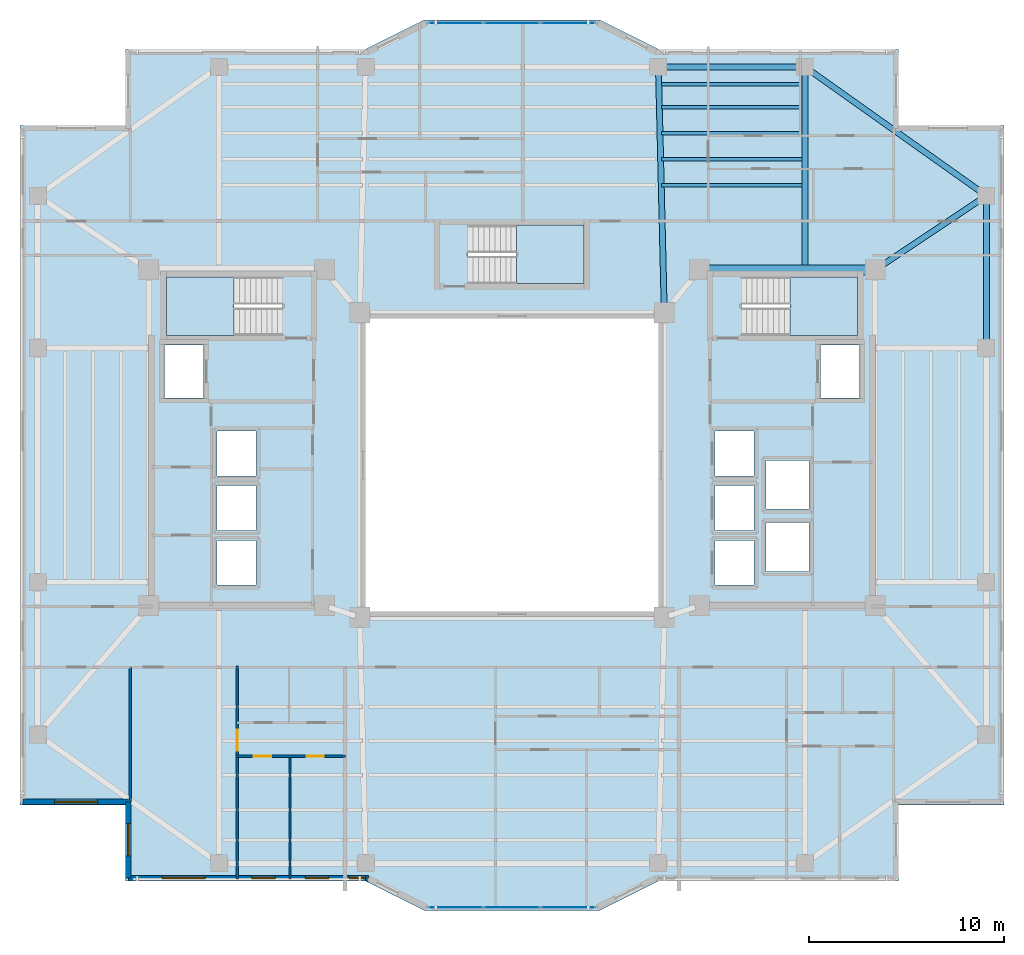
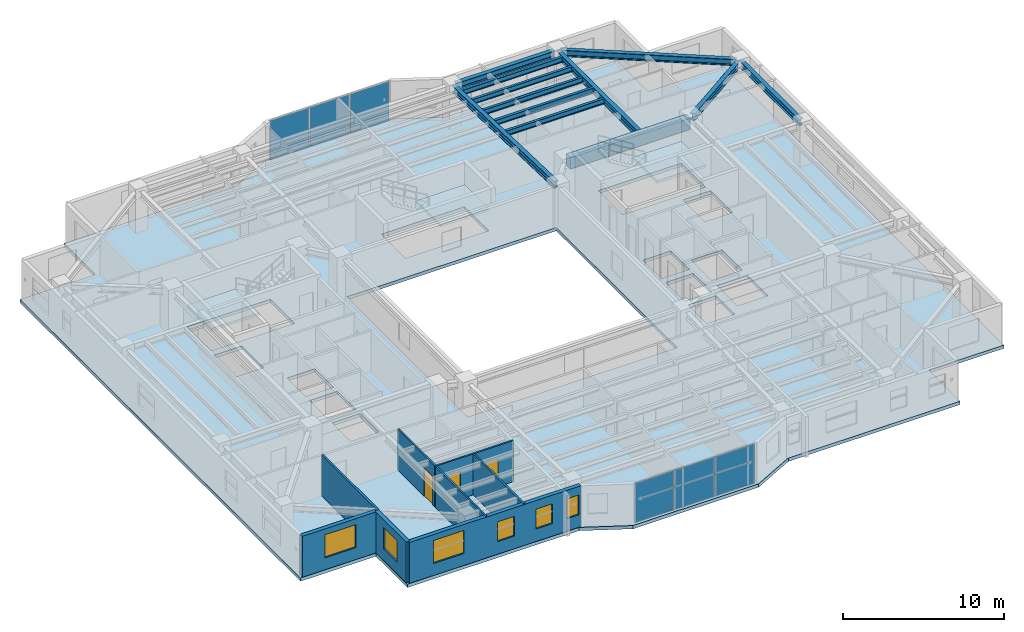
# One storey, part 5 of 15: 12 beams, 7 walls, 6 plates, 6 windows, 4 slabs, 3 doors, 9 openings, 5 elements without a shape of their own.
"""IFC4 building model written with IfcOpenShell, lengths in metres."""

from ifc_helpers import new_model, si_unit, direction, frame, frame_2d, origin, origin_2d, place, context, subcontext, project, spatial, polyline, rectangle, i_section, outline, extrude, material, layer, layer_set, material_profile, profile_set, type_object, element, fill, aggregate, save


model = new_model("IFC4")

# Units and contexts
model_context = context("Model", 3, precision=1e-05, world=origin(), true_north=direction((0.0, 1.0)))
body_context = subcontext(model_context, "Body", "Model", "MODEL_VIEW")
ifc_project = project(units=[si_unit("LENGTHUNIT", "METRE"), si_unit("AREAUNIT", "SQUARE_METRE"), si_unit("VOLUMEUNIT", "CUBIC_METRE"), si_unit("PLANEANGLEUNIT", "RADIAN"), si_unit("MASSUNIT", "GRAM", prefix="KILO")], contexts=[model_context])

# Site, building, storey
site_placement = place(None, origin())
site = spatial("IfcSite", under=ifc_project, at=site_placement, CompositionType="ELEMENT")
building_placement = place(site_placement, origin())
building = spatial("IfcBuilding", under=site, at=building_placement, Name="Tarnavaz Court Tower", CompositionType="ELEMENT")
storey_placement = place(building_placement, frame((0.0, 0.0, 162.75)))
storey = spatial("IfcBuildingStorey", under=building, at=storey_placement, Name="L44", CompositionType="ELEMENT", Elevation=162.75)

# Beams
ifc_material_1 = material(Name="Concrete C50/60", Category="concrete")
ifc_material_profile_1 = material_profile(ifc_material_1, rectangle(XDim=0.5, YDim=0.85009765625, at=origin_2d()), Name="RC 500X850")
ifc_profile_set_1 = profile_set([ifc_material_profile_1], Name="Concrete C50/60")
beam_type_1 = type_object("IfcBeamType", Name="BM-CB850", PredefinedType="LINTEL", material=ifc_profile_set_1)
beam_1_placement = place(storey_placement, frame((18.3798828125, 10.0, 2.675048828125), z_axis=(-1.0, 0.0, 0.0), x_axis=(0.0, -1.0, 0.0)))
element("IfcBeam", 1, at=beam_1_placement, inside=storey, type_object=beam_type_1, Name="L44 Beam IN-CE-NO-CE-NI", PredefinedType="LINTEL", context=body_context, shape_type="SweptSolid", body=[
    extrude(rectangle(XDim=0.5, YDim=0.85009765625, at=origin_2d()), origin(), (0.0, 0.0, 1.0), 8.559814453125),
])
ifc_material_2 = material(Name="Steel S355", Category="steel")
ifc_material_profile_2 = material_profile(ifc_material_2, i_section(OverallWidth=0.300048828125, OverallDepth=0.5, WebThickness=0.014404296875, FlangeThickness=0.028076171875, FilletRadius=0.027099609375, at=origin_2d()), Name="HEB 500")
ifc_profile_set_2 = profile_set([ifc_material_profile_2], Name="Steel S355")
beam_type_2 = type_object("IfcBeamType", Name="BM-G-HEB500", PredefinedType="USERDEFINED", material=ifc_profile_set_2)
beam_2_placement = place(storey_placement, frame((7.794921875, 8.02001953125, 2.85009765625), z_axis=(-0.023824748444, 0.999716150395, 0.0), x_axis=(-0.999716150395, -0.023824748444, 0.0)))
element("IfcBeam", 2, at=beam_2_placement, inside=storey, type_object=beam_type_2, Name="L44 Beam RG-03", ObjectType="GIRDER", PredefinedType="USERDEFINED", context=body_context, shape_type="SweptSolid", body=[
    extrude(i_section(OverallWidth=0.300048828125, OverallDepth=0.5, WebThickness=0.014404296875, FlangeThickness=0.028076171875, FilletRadius=0.027099609375, at=origin_2d()), origin(), (0.0, 0.0, 1.0), 12.16357421875),
])
beam_3_placement = place(storey_placement, frame((15.0, 10.0400390625, 2.85009765625), z_axis=(0.0, 1.0, 0.0), x_axis=(-1.0, 0.0, 0.0)))
element("IfcBeam", 3, at=beam_3_placement, inside=storey, type_object=beam_type_2, Name="L44 Beam RG-04", ObjectType="GIRDER", PredefinedType="USERDEFINED", context=body_context, shape_type="SweptSolid", body=[
    extrude(i_section(OverallWidth=0.300048828125, OverallDepth=0.5, WebThickness=0.014404296875, FlangeThickness=0.028076171875, FilletRadius=0.027099609375, at=origin_2d()), origin(), (0.0, 0.0, 1.0), 10.139892578125),
])
beam_4_placement = place(storey_placement, frame((18.783203125, 10.1220703125, 2.85009765625), z_axis=(0.832044435051, 0.554708985056, 0.0), x_axis=(-0.554708985056, 0.832044435051, 0.0)))
element("IfcBeam", 4, at=beam_4_placement, inside=storey, type_object=beam_type_2, Name="L44 Beam RG-12", ObjectType="GIRDER", PredefinedType="USERDEFINED", context=body_context, shape_type="SweptSolid", body=[
    extrude(i_section(OverallWidth=0.300048828125, OverallDepth=0.5, WebThickness=0.014404296875, FlangeThickness=0.028076171875, FilletRadius=0.027099609375, at=origin_2d()), origin(), (0.0, 0.0, 1.0), 6.410400390625),
])
ifc_material_profile_3 = material_profile(ifc_material_2, i_section(OverallWidth=0.179931640625, OverallDepth=0.39990234375, WebThickness=0.008544921875, FlangeThickness=0.013427734375, FilletRadius=0.02099609375, at=origin_2d()), Name="IPE 400")
ifc_profile_set_3 = profile_set([ifc_material_profile_3], Name="Steel S355")
beam_type_3 = type_object("IfcBeamType", Name="BM-J-IPE400", PredefinedType="JOIST", material=ifc_profile_set_3)
for number, where, z_axis, x_axis, name in (
    (5, (7.64990234375, 14.33203125, 2.89990234375), (1.0, 0.0, 0.0), (0.0, 1.0, 0.0), "L44 Beam JN1-3"),
    (6, (7.64990234375, 15.6640625, 2.89990234375), (1.0, 0.0, 0.0), (0.0, 1.0, 0.0), "L44 Beam JN2-3"),
    (7, (7.64990234375, 16.99609375, 2.89990234375), (1.0, 0.0, 0.0), (0.0, 1.0, 0.0), "L44 Beam JN3-3"),
    (8, (7.64990234375, 18.327880859375, 2.89990234375), (1.0, 0.0, 0.0), (0.0, 1.0, 0.0), "L44 Beam JN4-3"),
    (9, (7.64990234375, 19.511962890625, 2.89990234375), (1.0, 0.0, 0.0), (0.0, 1.0, 0.0), "L44 Beam JN5-3"),
):
    element("IfcBeam", number, at=place(storey_placement, frame(where, z_axis=z_axis, x_axis=x_axis)), inside=storey, type_object=beam_type_3, Name=name, PredefinedType="JOIST", context=body_context, shape_type="SweptSolid", body=[
        extrude(i_section(OverallWidth=0.179931640625, OverallDepth=0.39990234375, WebThickness=0.008544921875, FlangeThickness=0.013427734375, FilletRadius=0.02099609375, at=origin_2d()), origin(), (0.0, 0.0, 1.0), 7.2001953125),
    ])
ifc_material_profile_4 = material_profile(ifc_material_2, i_section(OverallWidth=0.300048828125, OverallDepth=0.489990234375, WebThickness=0.011962890625, FlangeThickness=0.02294921875, FilletRadius=0.027099609375, at=origin_2d()), Name="HEA 500")
ifc_profile_set_4 = profile_set([ifc_material_profile_4], Name="Steel S355")
beam_type_4 = type_object("IfcBeamType", Name="BM-SP-HEA500", PredefinedType="SPANDREL", material=ifc_profile_set_4)
beam_5_placement = place(storey_placement, frame((7.719970703125, 20.39990234375, 2.85498046875), z_axis=(1.0, 0.0, 0.0), x_axis=(0.0, 1.0, 0.0)))
element("IfcBeam", 10, at=beam_5_placement, inside=storey, type_object=beam_type_4, Name="L44 Beam PR-PN-3-PN-4", PredefinedType="SPANDREL", context=body_context, shape_type="SweptSolid", body=[
    extrude(i_section(OverallWidth=0.300048828125, OverallDepth=0.489990234375, WebThickness=0.011962890625, FlangeThickness=0.02294921875, FilletRadius=0.027099609375, at=origin_2d()), origin(), (0.0, 0.0, 1.0), 7.06005859375),
])
beam_6_placement = place(storey_placement, frame((24.300048828125, 6.219970703125, 2.85498046875), z_axis=(0.0, 1.0, 0.0), x_axis=(-1.0, 0.0, 0.0)))
element("IfcBeam", 11, at=beam_6_placement, inside=storey, type_object=beam_type_4, Name="L44 Beam PR-PE-3-PE-4", PredefinedType="SPANDREL", context=body_context, shape_type="SweptSolid", body=[
    extrude(i_section(OverallWidth=0.300048828125, OverallDepth=0.489990234375, WebThickness=0.011962890625, FlangeThickness=0.02294921875, FilletRadius=0.027099609375, at=origin_2d()), origin(), (0.0, 0.0, 1.0), 7.360107421875),
])
beam_7_placement = place(storey_placement, frame((15.179443359375, 20.272705078125, 2.85498046875), z_axis=(0.815502059396, -0.57875417158, 0.0), x_axis=(0.57875417158, 0.815502059396, 0.0)))
element("IfcBeam", 12, at=beam_7_placement, inside=storey, type_object=beam_type_4, Name="L44 Beam PR-PN-4-PE-4", PredefinedType="SPANDREL", context=body_context, shape_type="SweptSolid", body=[
    extrude(i_section(OverallWidth=0.300048828125, OverallDepth=0.489990234375, WebThickness=0.011962890625, FlangeThickness=0.02294921875, FilletRadius=0.027099609375, at=origin_2d()), origin(), (0.0, 0.0, 1.0), 10.964111328125),
])

# Curtain wall, plates
ifc_material_3 = material(Name="Anodised Aluminium 6063-T6 and Solar Low-E Glazing", Category="aluminium")
ifc_layer_1 = layer(ifc_material_3, 0.159912109375)
ifc_layer_set_1 = layer_set([ifc_layer_1], Name="Anodised Aluminium 6063-T6 and Solar Low-E Glazing")
curtain_wall_type = type_object("IfcCurtainWallType", Name="CW-SYS-03", PredefinedType="NOTDEFINED", material=ifc_layer_set_1)
curtain_wall_1_placement = place(storey_placement, origin())
curtain_wall_1 = element("IfcCurtainWall", 13, at=curtain_wall_1_placement, inside=storey, type_object=curtain_wall_type, Name="L44 Iwan Prow Curtain Wall 7", PredefinedType="NOTDEFINED")
ifc_material_4 = material(Name="Double-Glazed Solar Low-E Glass", Category="glass")
ifc_layer_2 = layer(ifc_material_4, 0.028076171875)
ifc_layer_set_2 = layer_set([ifc_layer_2], Name="Double-Glazed Solar Low-E Glass")
plate_type = type_object("IfcPlateType", Name="CW-PAN-GLZ28", PredefinedType="CURTAIN_PANEL", material=ifc_layer_set_2)
plate_1_placement = place(storey_placement, frame((-2.88134765625, 22.64990234375, 0.06494140625), z_axis=(0.0, 0.0, 1.0), x_axis=(1.0, 0.0, 0.0)))
plate_1 = element("IfcPlate", 14, at=plate_1_placement, type_object=plate_type, Name="CW panel 1.1", PredefinedType="CURTAIN_PANEL", context=body_context, shape_type="SweptSolid", body=[
    extrude(rectangle(XDim=2.78759765625, YDim=0.028076171875, at=origin_2d()), origin(), (0.0, 0.0, 1.0), 2.969970703125),
])
plate_2_placement = place(storey_placement, frame((0.0, 22.64990234375, 0.06494140625), z_axis=(0.0, 0.0, 1.0), x_axis=(1.0, 0.0, 0.0)))
plate_2 = element("IfcPlate", 15, at=plate_2_placement, type_object=plate_type, Name="CW panel 2.1", PredefinedType="CURTAIN_PANEL", context=body_context, shape_type="SweptSolid", body=[
    extrude(rectangle(XDim=2.824951171875, YDim=0.028076171875, at=origin_2d()), origin(), (0.0, 0.0, 1.0), 2.969970703125),
])
plate_3_placement = place(storey_placement, frame((2.88134765625, 22.64990234375, 0.06494140625), z_axis=(0.0, 0.0, 1.0), x_axis=(1.0, 0.0, 0.0)))
plate_3 = element("IfcPlate", 16, at=plate_3_placement, type_object=plate_type, Name="CW panel 3.1", PredefinedType="CURTAIN_PANEL", context=body_context, shape_type="SweptSolid", body=[
    extrude(rectangle(XDim=2.78759765625, YDim=0.028076171875, at=origin_2d()), origin(), (0.0, 0.0, 1.0), 2.969970703125),
])
aggregate(curtain_wall_1, [plate_1, plate_2, plate_3])

curtain_wall_2_placement = place(storey_placement, origin())
curtain_wall_2 = element("IfcCurtainWall", 17, at=curtain_wall_2_placement, inside=storey, type_object=curtain_wall_type, Name="L44 Iwan Prow Curtain Wall 17", PredefinedType="NOTDEFINED")
plate_4_placement = place(storey_placement, frame((2.88134765625, -22.64990234375, 0.06494140625), z_axis=(0.0, 0.0, 1.0), x_axis=(-1.0, 0.0, 0.0)))
plate_4 = element("IfcPlate", 18, at=plate_4_placement, type_object=plate_type, Name="CW panel 1.1", PredefinedType="CURTAIN_PANEL", context=body_context, shape_type="SweptSolid", body=[
    extrude(rectangle(XDim=2.78759765625, YDim=0.028076171875, at=origin_2d()), origin(), (0.0, 0.0, 1.0), 2.969970703125),
])
plate_5_placement = place(storey_placement, frame((0.0, -22.64990234375, 0.06494140625), z_axis=(0.0, 0.0, 1.0), x_axis=(-1.0, 0.0, 0.0)))
plate_5 = element("IfcPlate", 19, at=plate_5_placement, type_object=plate_type, Name="CW panel 2.1", PredefinedType="CURTAIN_PANEL", context=body_context, shape_type="SweptSolid", body=[
    extrude(rectangle(XDim=2.824951171875, YDim=0.028076171875, at=origin_2d()), origin(), (0.0, 0.0, 1.0), 2.969970703125),
])
plate_6_placement = place(storey_placement, frame((-2.88134765625, -22.64990234375, 0.06494140625), z_axis=(0.0, 0.0, 1.0), x_axis=(-1.0, 0.0, 0.0)))
plate_6 = element("IfcPlate", 20, at=plate_6_placement, type_object=plate_type, Name="CW panel 3.1", PredefinedType="CURTAIN_PANEL", context=body_context, shape_type="SweptSolid", body=[
    extrude(rectangle(XDim=2.78759765625, YDim=0.028076171875, at=origin_2d()), origin(), (0.0, 0.0, 1.0), 2.969970703125),
])
aggregate(curtain_wall_2, [plate_4, plate_5, plate_6])

# Stair, slab
ifc_material_5 = material(Name="Concrete C40/50", Category="concrete")
stair_type = type_object("IfcStairType", Name="ST-TWR-20R", PredefinedType="HALF_TURN_STAIR", material=ifc_material_5)
stair_1_placement = place(storey_placement, origin())
stair_1 = element("IfcStair", 21, at=stair_1_placement, inside=storey, type_object=stair_type, Name="L44 West Core Pressurized Exit Stair ST-W1", PredefinedType="HALF_TURN_STAIR")
ifc_layer_3 = layer(ifc_material_5, 0.199951171875)
ifc_layer_set_3 = layer_set([ifc_layer_3], Name="Concrete C40/50")
slab_type_1 = type_object("IfcSlabType", Name="SL-LAND-200", PredefinedType="LANDING", material=ifc_layer_set_3)
slab_1_placement = place(storey_placement, frame((0.0, 0.0, 1.47509765625)))
slab_1 = element("IfcSlab", 22, at=slab_1_placement, type_object=slab_type_1, Name="ST-W1 landing 1", PredefinedType="LANDING", context=body_context, shape_type="SweptSolid", body=[
    extrude(outline(polyline([(-14.239990234375, 9.639892578125), (-17.699951171875, 9.639892578125), (-17.699951171875, 6.64990234375), (-14.239990234375, 6.64990234375), (-14.239990234375, 9.639892578125)])), origin(), (0.0, 0.0, 1.0), 0.199951171875),
])
aggregate(stair_1, [slab_1])

stair_2_placement = place(storey_placement, origin())
stair_2 = element("IfcStair", 23, at=stair_2_placement, inside=storey, type_object=stair_type, Name="L44 East Core Pressurized Exit Stair ST-E1", PredefinedType="HALF_TURN_STAIR")
slab_2_placement = place(storey_placement, frame((0.0, 0.0, 1.47509765625)))
slab_2 = element("IfcSlab", 24, at=slab_2_placement, type_object=slab_type_1, Name="ST-E1 landing 1", PredefinedType="LANDING", context=body_context, shape_type="SweptSolid", body=[
    extrude(outline(polyline([(14.239990234375, 6.64990234375), (17.699951171875, 6.64990234375), (17.699951171875, 9.639892578125), (14.239990234375, 9.639892578125), (14.239990234375, 6.64990234375)])), origin(), (0.0, 0.0, 1.0), 0.199951171875),
])
aggregate(stair_2, [slab_2])

stair_3_placement = place(storey_placement, origin())
stair_3 = element("IfcStair", 25, at=stair_3_placement, inside=storey, type_object=stair_type, Name="L44 North Ring Pressurized Exit Stair ST-N1", PredefinedType="HALF_TURN_STAIR")
slab_3_placement = place(storey_placement, frame((0.0, 0.0, 1.47509765625)))
slab_3 = element("IfcSlab", 26, at=slab_3_placement, type_object=slab_type_1, Name="ST-N1 landing 1", PredefinedType="LANDING", context=body_context, shape_type="SweptSolid", body=[
    extrude(outline(polyline([(0.239990234375, 9.300048828125), (3.699951171875, 9.300048828125), (3.699951171875, 12.2900390625), (0.239990234375, 12.2900390625), (0.239990234375, 9.300048828125)])), origin(), (0.0, 0.0, 1.0), 0.199951171875),
])
aggregate(stair_3, [slab_3])

# Slab
ifc_layer_4 = layer(ifc_material_5, 0.25)
ifc_layer_set_4 = layer_set([ifc_layer_4], Name="Concrete C40/50")
slab_type_2 = type_object("IfcSlabType", Name="SL-RES-250", PredefinedType="FLOOR", material=ifc_layer_set_4)
slab_4_placement = place(storey_placement, frame((0.0, 0.0, -0.25)))
element("IfcSlab", 27, at=slab_4_placement, inside=storey, type_object=slab_type_2, Name="L44 Structural Floor Slab", PredefinedType="FLOOR", context=body_context, shape_type="SweptSolid", body=[
    extrude(outline(polyline([(-19.800048828125, -21.300048828125), (-7.5, -21.300048828125), (-4.5, -22.800048828125), (4.5, -22.800048828125), (7.5, -21.300048828125), (19.800048828125, -21.300048828125), (19.800048828125, -17.39990234375), (25.199951171875, -17.39990234375), (25.199951171875, 17.39990234375), (19.800048828125, 17.39990234375), (19.800048828125, 21.300048828125), (7.5, 21.300048828125), (4.5, 22.800048828125), (-4.5, 22.800048828125), (-7.5, 21.300048828125), (-19.800048828125, 21.300048828125), (-19.800048828125, 17.39990234375), (-25.199951171875, 17.39990234375), (-25.199951171875, -17.39990234375), (-19.800048828125, -17.39990234375), (-19.800048828125, -21.300048828125)]), holes=[polyline([(-7.5, -7.5), (7.5, -7.5), (7.5, 7.5), (-7.5, 7.5), (-7.5, -7.5)]), polyline([(-11.7451171875, 9.639892578125), (-17.699951171875, 9.639892578125), (-17.699951171875, 6.64990234375), (-11.7451171875, 6.64990234375), (-11.7451171875, 9.639892578125)]), polyline([(11.7451171875, 6.64990234375), (17.699951171875, 6.64990234375), (17.699951171875, 9.639892578125), (11.7451171875, 9.639892578125), (11.7451171875, 6.64990234375)]), polyline([(-2.2548828125, 9.300048828125), (3.699951171875, 9.300048828125), (3.699951171875, 12.2900390625), (-2.2548828125, 12.2900390625), (-2.2548828125, 9.300048828125)]), polyline([(-17.800048828125, 3.449951171875), (-15.800048828125, 3.449951171875), (-15.800048828125, 6.14990234375), (-17.800048828125, 6.14990234375), (-17.800048828125, 3.449951171875)]), polyline([(-15.10009765625, -6.14990234375), (-13.10009765625, -6.14990234375), (-13.10009765625, -3.85009765625), (-15.10009765625, -3.85009765625), (-15.10009765625, -6.14990234375)]), polyline([(-15.10009765625, -3.35009765625), (-13.10009765625, -3.35009765625), (-13.10009765625, -1.050048828125), (-15.10009765625, -1.050048828125), (-15.10009765625, -3.35009765625)]), polyline([(-15.10009765625, -0.550048828125), (-13.10009765625, -0.550048828125), (-13.10009765625, 1.75), (-15.10009765625, 1.75), (-15.10009765625, -0.550048828125)]), polyline([(15.800048828125, 3.449951171875), (17.800048828125, 3.449951171875), (17.800048828125, 6.14990234375), (15.800048828125, 6.14990234375), (15.800048828125, 3.449951171875)]), polyline([(10.39990234375, -6.14990234375), (12.39990234375, -6.14990234375), (12.39990234375, -3.85009765625), (10.39990234375, -3.85009765625), (10.39990234375, -6.14990234375)]), polyline([(10.39990234375, -3.35009765625), (12.39990234375, -3.35009765625), (12.39990234375, -1.050048828125), (10.39990234375, -1.050048828125), (10.39990234375, -3.35009765625)]), polyline([(10.39990234375, -0.550048828125), (12.39990234375, -0.550048828125), (12.39990234375, 1.75), (10.39990234375, 1.75), (10.39990234375, -0.550048828125)]), polyline([(13.0, -5.449951171875), (15.199951171875, -5.449951171875), (15.199951171875, -2.949951171875), (13.0, -2.949951171875), (13.0, -5.449951171875)]), polyline([(13.0, -2.25), (15.199951171875, -2.25), (15.199951171875, 0.25), (13.0, 0.25), (13.0, -2.25)])]), origin(), (0.0, 0.0, 1.0), 0.25),
])

# Wall, opening, window
ifc_material_6 = material(Name="Precast Concrete C40/50", Category="concrete")
ifc_layer_5 = layer(ifc_material_6, 0.280029296875)
ifc_layer_set_5 = layer_set([ifc_layer_5], Name="Precast Concrete C40/50")
wall_type_1 = type_object("IfcWallType", Name="WL-EXT-280", PredefinedType="SOLIDWALL", material=ifc_layer_set_5)
wall_1_placement = place(storey_placement, frame((-19.64990234375, -17.25, 0.0), z_axis=(0.0, 0.0, 1.0), x_axis=(-1.0, 0.0, 0.0)))
wall_1 = element("IfcWall", 28, at=wall_1_placement, inside=storey, type_object=wall_type_1, Name="L44 Exterior Terracotta Facade Wall 01", PredefinedType="SOLIDWALL", context=body_context, shape_type="SweptSolid", body=[
    extrude(rectangle(XDim=5.400146484375, YDim=0.280029296875, at=frame_2d((2.7001953125, 0.0))), origin(), (0.0, 0.0, 1.0), 3.10009765625),
])
opening_1_placement = place(wall_1_placement, frame((1.574951171875, 0.0, 0.89990234375)))
opening_1 = element("IfcOpeningElement", 29, at=opening_1_placement, cuts=wall_1, Name="Opening W07", PredefinedType="OPENING", context=body_context, shape_type="SweptSolid", body=[
    extrude(rectangle(XDim=2.199951171875, YDim=1.75, at=frame_2d((1.10009765625, 0.875))), frame((0.0, 0.14990234375, 0.0), z_axis=(0.0, -1.0, 0.0), x_axis=(1.0, 0.0, 0.0)), (0.0, 0.0, 1.0), 0.300048828125),
])
window_type_1 = type_object("IfcWindowType", Name="WN-APT-2200", PartitioningType="TRIPLE_PANEL_VERTICAL", PredefinedType="WINDOW", material=ifc_material_4)
window_1_placement = place(opening_1_placement, origin())
window_1 = element("IfcWindow", 30, at=window_1_placement, inside=storey, type_object=window_type_1, Name="L44 South-West Corner Reading Room Window", OverallHeight=1.75, OverallWidth=2.199951171875, PartitioningType="SINGLE_PANEL", PredefinedType="WINDOW", context=body_context, shape_type="SweptSolid", body=[
    extrude(rectangle(XDim=2.199951171875, YDim=1.75, at=frame_2d((1.10009765625, 0.875))), frame((0.0, 0.030029296875, 0.0), z_axis=(0.0, -1.0, 0.0), x_axis=(1.0, 0.0, 0.0)), (0.0, 0.0, 1.0), 0.06005859375),
])
fill(opening_1, window_1)

# Wall, openings, windows
wall_2_placement = place(storey_placement, frame((-7.35009765625, -21.14990234375, 0.0), z_axis=(0.0, 0.0, 1.0), x_axis=(-1.0, 0.0, 0.0)))
wall_2 = element("IfcWall", 31, at=wall_2_placement, inside=storey, type_object=wall_type_1, Name="L44 Exterior Terracotta Facade Wall 19", PredefinedType="SOLIDWALL", context=body_context, shape_type="SweptSolid", body=[
    extrude(rectangle(XDim=12.2998046875, YDim=0.280029296875, at=frame_2d((6.14990234375, 0.0))), origin(), (0.0, 0.0, 1.0), 3.10009765625),
])
opening_2_placement = place(wall_2_placement, frame((0.147216796875, 0.0, 0.949951171875)))
opening_2 = element("IfcOpeningElement", 32, at=opening_2_placement, cuts=wall_2, Name="Opening W15", PredefinedType="OPENING", context=body_context, shape_type="SweptSolid", body=[
    extrude(rectangle(XDim=0.85009765625, YDim=1.5, at=frame_2d((0.425048828125, 0.75))), frame((0.0, 0.14990234375, 0.0), z_axis=(0.0, -1.0, 0.0), x_axis=(1.0, 0.0, 0.0)), (0.0, 0.0, 1.0), 0.300048828125),
])
opening_3_placement = place(wall_2_placement, frame((2.03564453125, 0.0, 0.949951171875)))
opening_3 = element("IfcOpeningElement", 33, at=opening_3_placement, cuts=wall_2, Name="Opening W05", PredefinedType="OPENING", context=body_context, shape_type="SweptSolid", body=[
    extrude(rectangle(XDim=1.199951171875, YDim=1.5, at=frame_2d((0.60009765625, 0.75))), frame((0.0, 0.14990234375, 0.0), z_axis=(0.0, -1.0, 0.0), x_axis=(1.0, 0.0, 0.0)), (0.0, 0.0, 1.0), 0.300048828125),
])
opening_4_placement = place(wall_2_placement, frame((4.771728515625, 0.0, 0.949951171875)))
opening_4 = element("IfcOpeningElement", 34, at=opening_4_placement, cuts=wall_2, Name="Opening W05", PredefinedType="OPENING", context=body_context, shape_type="SweptSolid", body=[
    extrude(rectangle(XDim=1.199951171875, YDim=1.5, at=frame_2d((0.60009765625, 0.75))), frame((0.0, 0.14990234375, 0.0), z_axis=(0.0, -1.0, 0.0), x_axis=(1.0, 0.0, 0.0)), (0.0, 0.0, 1.0), 0.300048828125),
])
opening_5_placement = place(wall_2_placement, frame((8.363525390625, 0.0, 0.89990234375)))
opening_5 = element("IfcOpeningElement", 35, at=opening_5_placement, cuts=wall_2, Name="Opening W07", PredefinedType="OPENING", context=body_context, shape_type="SweptSolid", body=[
    extrude(rectangle(XDim=2.199951171875, YDim=1.75, at=frame_2d((1.10009765625, 0.875))), frame((0.0, 0.14990234375, 0.0), z_axis=(0.0, -1.0, 0.0), x_axis=(1.0, 0.0, 0.0)), (0.0, 0.0, 1.0), 0.300048828125),
])
window_type_2 = type_object("IfcWindowType", Name="WN-APT-1200", PartitioningType="SINGLE_PANEL", PredefinedType="WINDOW", material=ifc_material_4)
window_2_placement = place(opening_3_placement, origin())
window_2 = element("IfcWindow", 36, at=window_2_placement, inside=storey, type_object=window_type_2, Name="L44 Flat 03 Bedroom 2 Window", OverallHeight=1.5, OverallWidth=1.199951171875, PartitioningType="SINGLE_PANEL", PredefinedType="WINDOW", context=body_context, shape_type="SweptSolid", body=[
    extrude(rectangle(XDim=1.199951171875, YDim=1.5, at=frame_2d((0.60009765625, 0.75))), frame((0.0, 0.030029296875, 0.0), z_axis=(0.0, -1.0, 0.0), x_axis=(1.0, 0.0, 0.0)), (0.0, 0.0, 1.0), 0.06005859375),
])
fill(opening_3, window_2)
window_3_placement = place(opening_4_placement, origin())
window_3 = element("IfcWindow", 37, at=window_3_placement, inside=storey, type_object=window_type_2, Name="L44 Flat 03 Principal Bedroom Window", OverallHeight=1.5, OverallWidth=1.199951171875, PartitioningType="SINGLE_PANEL", PredefinedType="WINDOW", context=body_context, shape_type="SweptSolid", body=[
    extrude(rectangle(XDim=1.199951171875, YDim=1.5, at=frame_2d((0.60009765625, 0.75))), frame((0.0, 0.030029296875, 0.0), z_axis=(0.0, -1.0, 0.0), x_axis=(1.0, 0.0, 0.0)), (0.0, 0.0, 1.0), 0.06005859375),
])
fill(opening_4, window_3)
window_4_placement = place(opening_5_placement, origin())
window_4 = element("IfcWindow", 38, at=window_4_placement, inside=storey, type_object=window_type_1, Name="L44 Flat 03 Living and Dining Room Window", OverallHeight=1.75, OverallWidth=2.199951171875, PartitioningType="SINGLE_PANEL", PredefinedType="WINDOW", context=body_context, shape_type="SweptSolid", body=[
    extrude(rectangle(XDim=2.199951171875, YDim=1.75, at=frame_2d((1.10009765625, 0.875))), frame((0.0, 0.030029296875, 0.0), z_axis=(0.0, -1.0, 0.0), x_axis=(1.0, 0.0, 0.0)), (0.0, 0.0, 1.0), 0.06005859375),
])
fill(opening_5, window_4)
window_type_3 = type_object("IfcWindowType", Name="WN-APT-850", PartitioningType="SINGLE_PANEL", PredefinedType="WINDOW", material=ifc_material_4)
window_5_placement = place(opening_2_placement, origin())
window_5 = element("IfcWindow", 39, at=window_5_placement, inside=storey, type_object=window_type_3, Name="L44 Flat 05 Living and Dining Room Window", OverallHeight=1.5, OverallWidth=0.85009765625, PartitioningType="SINGLE_PANEL", PredefinedType="WINDOW", context=body_context, shape_type="SweptSolid", body=[
    extrude(rectangle(XDim=0.85009765625, YDim=1.5, at=frame_2d((0.425048828125, 0.75))), frame((0.0, 0.030029296875, 0.0), z_axis=(0.0, -1.0, 0.0), x_axis=(1.0, 0.0, 0.0)), (0.0, 0.0, 1.0), 0.06005859375),
])
fill(opening_2, window_5)

# Wall, opening, window
wall_3_placement = place(storey_placement, frame((-19.64990234375, -21.14990234375, 0.0), z_axis=(0.0, 0.0, 1.0), x_axis=(0.0, 1.0, 0.0)))
wall_3 = element("IfcWall", 40, at=wall_3_placement, inside=storey, type_object=wall_type_1, Name="L44 Exterior Terracotta Facade Wall 20", PredefinedType="SOLIDWALL", context=body_context, shape_type="SweptSolid", body=[
    extrude(rectangle(XDim=3.89990234375, YDim=0.280029296875, at=frame_2d((1.949951171875, 0.0))), origin(), (0.0, 0.0, 1.0), 3.10009765625),
])
opening_6_placement = place(wall_3_placement, frame((1.142822265625, 0.0, 0.89990234375)))
opening_6 = element("IfcOpeningElement", 41, at=opening_6_placement, cuts=wall_3, Name="Opening W02", PredefinedType="OPENING", context=body_context, shape_type="SweptSolid", body=[
    extrude(rectangle(XDim=1.64990234375, YDim=1.60009765625, at=frame_2d((0.824951171875, 0.800048828125))), frame((0.0, 0.14990234375, 0.0), z_axis=(0.0, -1.0, 0.0), x_axis=(1.0, 0.0, 0.0)), (0.0, 0.0, 1.0), 0.300048828125),
])
window_type_4 = type_object("IfcWindowType", Name="WN-APT-1650", PartitioningType="DOUBLE_PANEL_VERTICAL", PredefinedType="WINDOW", material=ifc_material_4)
window_6_placement = place(opening_6_placement, origin())
window_6 = element("IfcWindow", 42, at=window_6_placement, inside=storey, type_object=window_type_4, Name="L44 Flat 03 Living and Dining Room Window", OverallHeight=1.60009765625, OverallWidth=1.64990234375, PartitioningType="SINGLE_PANEL", PredefinedType="WINDOW", context=body_context, shape_type="SweptSolid", body=[
    extrude(rectangle(XDim=1.64990234375, YDim=1.60009765625, at=frame_2d((0.824951171875, 0.800048828125))), frame((0.0, 0.030029296875, 0.0), z_axis=(0.0, -1.0, 0.0), x_axis=(1.0, 0.0, 0.0)), (0.0, 0.0, 1.0), 0.06005859375),
])
fill(opening_6, window_6)

# Wall, opening, door
ifc_material_7 = material(Name="Moisture-Resistant Gypsum Board Partition", Category="masonry")
ifc_layer_6 = layer(ifc_material_7, 0.1201171875)
ifc_layer_set_6 = layer_set([ifc_layer_6], Name="Moisture-Resistant Gypsum Board Partition")
wall_type_2 = type_object("IfcWallType", Name="WL-PART-120", PredefinedType="PARTITIONING", material=ifc_layer_set_6)
wall_4_placement = place(storey_placement, frame((-14.074951171875, -21.199951171875, 0.0), z_axis=(0.0, 0.0, 1.0), x_axis=(0.0, 1.0, 0.0)))
wall_4 = element("IfcWall", 43, at=wall_4_placement, inside=storey, type_object=wall_type_2, Name="L44 Interior Partition 089", PredefinedType="PARTITIONING", context=body_context, shape_type="SweptSolid", body=[
    extrude(rectangle(XDim=10.909912109375, YDim=0.1201171875, at=frame_2d((5.455078125, 0.0))), origin(), (0.0, 0.0, 1.0), 3.10009765625),
])
opening_7_placement = place(wall_4_placement, frame((6.574951171875, 0.0, 0.0)))
opening_7 = element("IfcOpeningElement", 44, at=opening_7_placement, cuts=wall_4, Name="Opening D12", PredefinedType="OPENING", context=body_context, shape_type="SweptSolid", body=[
    extrude(rectangle(XDim=1.080078125, YDim=2.14990234375, at=frame_2d((0.5400390625, 1.074951171875))), frame((0.0, 0.070068359375, 0.0), z_axis=(0.0, -1.0, 0.0), x_axis=(1.0, 0.0, 0.0)), (0.0, 0.0, 1.0), 0.14013671875),
])
ifc_material_8 = material(Name="Engineered Oak Timber", Category="wood")
door_type_1 = type_object("IfcDoorType", Name="DR-INT-1100", OperationType="NOTDEFINED", PredefinedType="DOOR", material=ifc_material_8)
door_1_placement = place(opening_7_placement, origin())
door_1 = element("IfcDoor", 45, at=door_1_placement, inside=storey, type_object=door_type_1, Name="L44 Flat 03 Foyer Door", OperationType="SINGLE_SWING_LEFT", OverallHeight=2.14990234375, OverallWidth=1.080078125, PredefinedType="DOOR", context=body_context, shape_type="SweptSolid", body=[
    extrude(rectangle(XDim=1.080078125, YDim=2.14990234375, at=frame_2d((0.5400390625, 1.074951171875))), frame((0.0, 0.02490234375, 0.0), z_axis=(0.0, -1.0, 0.0), x_axis=(1.0, 0.0, 0.0)), (0.0, 0.0, 1.0), 0.050048828125),
])
fill(opening_7, door_1)

# Wall, openings, doors
wall_5_placement = place(storey_placement, frame((-14.135009765625, -14.909912109375, 0.0), z_axis=(0.0, 0.0, 1.0), x_axis=(1.0, 0.0, 0.0)))
wall_5 = element("IfcWall", 46, at=wall_5_placement, inside=storey, type_object=wall_type_2, Name="L44 Interior Partition 092", PredefinedType="PARTITIONING", context=body_context, shape_type="SweptSolid", body=[
    extrude(rectangle(XDim=5.594970703125, YDim=0.1201171875, at=frame_2d((2.79736328125, 0.0))), origin(), (0.0, 0.0, 1.0), 3.10009765625),
])
opening_8_placement = place(wall_5_placement, frame((0.9140625, 0.0, 0.0)))
opening_8 = element("IfcOpeningElement", 47, at=opening_8_placement, cuts=wall_5, Name="Opening D14", PredefinedType="OPENING", context=body_context, shape_type="SweptSolid", body=[
    extrude(rectangle(XDim=0.8798828125, YDim=2.10009765625, at=frame_2d((0.43994140625, 1.050048828125))), frame((0.0, 0.070068359375, 0.0), z_axis=(0.0, -1.0, 0.0), x_axis=(1.0, 0.0, 0.0)), (0.0, 0.0, 1.0), 0.14013671875),
])
opening_9_placement = place(wall_5_placement, frame((3.62109375, 0.0, 0.0)))
opening_9 = element("IfcOpeningElement", 48, at=opening_9_placement, cuts=wall_5, Name="Opening D14", PredefinedType="OPENING", context=body_context, shape_type="SweptSolid", body=[
    extrude(rectangle(XDim=0.8798828125, YDim=2.10009765625, at=frame_2d((0.43994140625, 1.050048828125))), frame((0.0, 0.070068359375, 0.0), z_axis=(0.0, -1.0, 0.0), x_axis=(1.0, 0.0, 0.0)), (0.0, 0.0, 1.0), 0.14013671875),
])
door_type_2 = type_object("IfcDoorType", Name="DR-INT-900", OperationType="NOTDEFINED", PredefinedType="DOOR", material=ifc_material_8)
door_2_placement = place(opening_8_placement, origin())
door_2 = element("IfcDoor", 49, at=door_2_placement, inside=storey, type_object=door_type_2, Name="L44 Flat 03 Bedroom 1 Door", OperationType="SINGLE_SWING_RIGHT", OverallHeight=2.10009765625, OverallWidth=0.8798828125, PredefinedType="DOOR", context=body_context, shape_type="SweptSolid", body=[
    extrude(rectangle(XDim=0.8798828125, YDim=2.10009765625, at=frame_2d((0.43994140625, 1.050048828125))), frame((0.0, 0.02490234375, 0.0), z_axis=(0.0, -1.0, 0.0), x_axis=(1.0, 0.0, 0.0)), (0.0, 0.0, 1.0), 0.050048828125),
])
fill(opening_8, door_2)
door_3_placement = place(opening_9_placement, origin())
door_3 = element("IfcDoor", 50, at=door_3_placement, inside=storey, type_object=door_type_2, Name="L44 Flat 03 Bedroom 2 Door", OperationType="SINGLE_SWING_LEFT", OverallHeight=2.10009765625, OverallWidth=0.8798828125, PredefinedType="DOOR", context=body_context, shape_type="SweptSolid", body=[
    extrude(rectangle(XDim=0.8798828125, YDim=2.10009765625, at=frame_2d((0.43994140625, 1.050048828125))), frame((0.0, 0.02490234375, 0.0), z_axis=(0.0, -1.0, 0.0), x_axis=(1.0, 0.0, 0.0)), (0.0, 0.0, 1.0), 0.050048828125),
])
fill(opening_9, door_3)

# Walls
wall_6_placement = place(storey_placement, frame((-11.366943359375, -21.199951171875, 0.0), z_axis=(0.0, 0.0, 1.0), x_axis=(0.0, 1.0, 0.0)))
element("IfcWall", 51, at=wall_6_placement, inside=storey, type_object=wall_type_2, Name="L44 Interior Partition 094", PredefinedType="PARTITIONING", context=body_context, shape_type="SweptSolid", body=[
    extrude(rectangle(XDim=6.349853515625, YDim=0.1201171875, at=frame_2d((3.1748046875, 0.0))), origin(), (0.0, 0.0, 1.0), 3.10009765625),
])
ifc_material_9 = material(Name="Gypsum Plasterboard Acoustic Partition", Category="masonry")
ifc_layer_7 = layer(ifc_material_9, 0.139892578125)
ifc_layer_set_7 = layer_set([ifc_layer_7], Name="Gypsum Plasterboard Acoustic Partition")
wall_type_3 = type_object("IfcWallType", Name="WL-PART-150", PredefinedType="PARTITIONING", material=ifc_layer_set_7)
wall_7_placement = place(storey_placement, frame((-19.550048828125, -17.25, 0.0), z_axis=(0.0, 0.0, 1.0), x_axis=(0.0, 1.0, 0.0)))
element("IfcWall", 52, at=wall_7_placement, inside=storey, type_object=wall_type_3, Name="L44 Interior Partition 114", PredefinedType="PARTITIONING", context=body_context, shape_type="SweptSolid", body=[
    extrude(rectangle(XDim=6.89990234375, YDim=0.139892578125, at=frame_2d((3.449951171875, 0.0))), origin(), (0.0, 0.0, 1.0), 3.10009765625),
])

save(model, "model.ifc")
